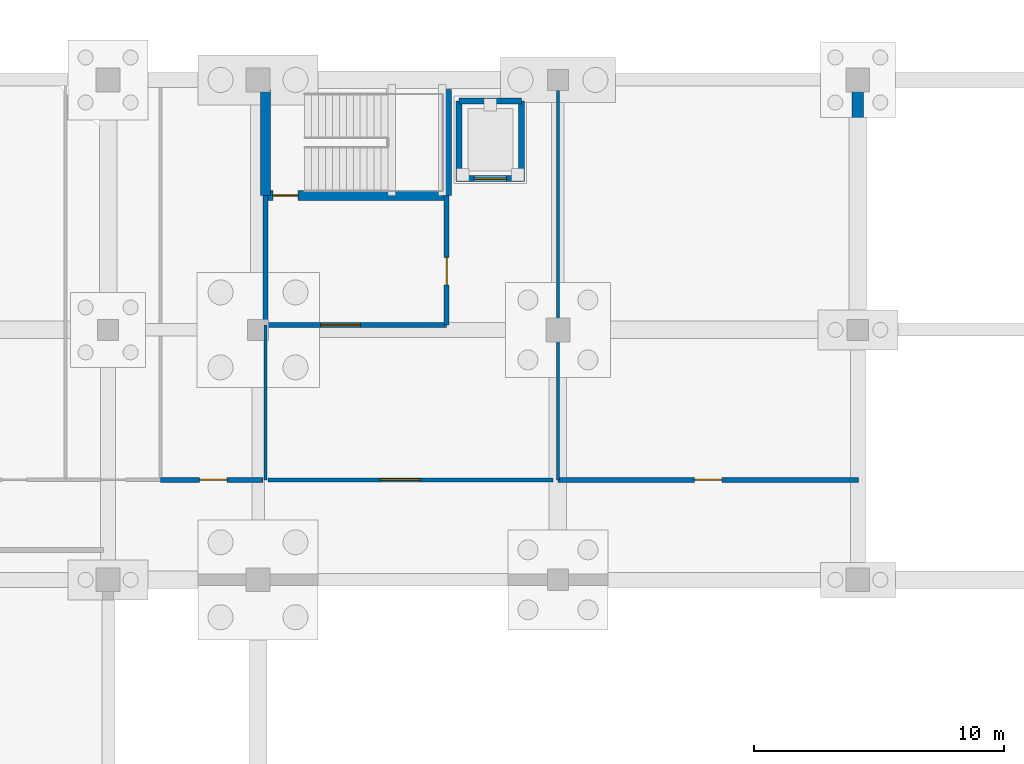
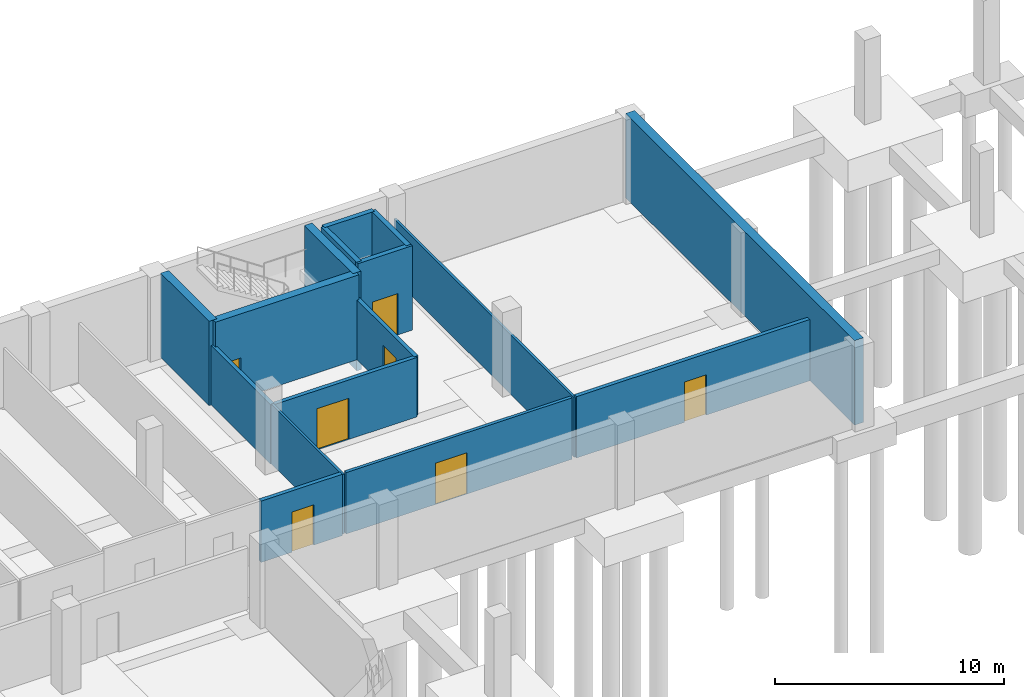
# One storey, part 16 of 19: 16 walls, 7 doors, 7 openings.
"""IFC4 building model written with IfcOpenShell, lengths in metres."""

import ifcopenshell
import ifcopenshell.guid

model = None  # the IFC model being written
_history = None  # IfcOwnerHistory: only IFC2X3 demands one
_inside = {}  # id of a spatial element -> (the spatial element, [elements in it])
_under = {}  # id of a project, library or spatial element -> (it, [spatial elements below it])
_declared = {}  # id of a project -> (the project, [libraries it declares])
_typed = {}  # id of a type object -> (the type object, [elements of that type])
_made_of = {}  # id of a material, layer set ... -> (it, [elements and type objects made of it])


def new_model(schema):
    """Start an empty IFC model of exactly this schema.

    Asked for "IFC4X3", IfcOpenShell would pick the latest addendum, in which some entities
    have other attributes; the version numbers below select the first issue.
    IFC2X3 requires an IfcOwnerHistory on every rooted entity: one is made here for all.
    """
    global model, _history
    if schema == "IFC4X3":
        model = ifcopenshell.file(schema_version=(4, 3, 0, 0))
    else:
        model = ifcopenshell.file(schema=schema)
    _inside.clear()
    _under.clear()
    _declared.clear()
    _typed.clear()
    _made_of.clear()
    _history = None
    if model.schema == "IFC2X3":
        org = make("IfcOrganization", Name="unknown")
        user = make(
            "IfcPersonAndOrganization",
            ThePerson=make("IfcPerson", FamilyName="unknown"),
            TheOrganization=org,
        )
        app = make(
            "IfcApplication",
            ApplicationDeveloper=org,
            Version="unknown",
            ApplicationFullName="unknown",
            ApplicationIdentifier="unknown",
        )
        _history = make(
            "IfcOwnerHistory",
            OwningUser=user,
            OwningApplication=app,
            ChangeAction="ADDED",
            CreationDate=0,
        )
    return model


def make(cls, **values):
    """One entity of the class cls with the attributes given. An attribute that is None is left unset."""
    return model.create_entity(
        cls, **{name: value for name, value in values.items() if value is not None}
    )


def rooted(cls, **values):
    """An entity with a GlobalId (a new one), such as an element, a storey or a relation."""
    return make(cls, GlobalId=ifcopenshell.guid.new(), OwnerHistory=_history, **values)


def si_unit(unit_type, name, prefix=None):
    """IfcSIUnit, for example si_unit("LENGTHUNIT", "METRE", prefix="MILLI")."""
    return make("IfcSIUnit", UnitType=unit_type, Prefix=prefix, Name=name)


def assignment(units):
    """IfcUnitAssignment: the units of a project."""
    return None if units is None else make("IfcUnitAssignment", Units=units)


def point(xyz):
    """IfcCartesianPoint."""
    return None if xyz is None else make("IfcCartesianPoint", Coordinates=xyz)


def direction(xyz):
    """IfcDirection."""
    return None if xyz is None else make("IfcDirection", DirectionRatios=xyz)


def frame(location, z_axis=None, x_axis=None):
    """IfcAxis2Placement3D, a coordinate frame: its origin and axes. An axis left out is left unset."""
    return make(
        "IfcAxis2Placement3D",
        Location=point(location),
        Axis=direction(z_axis),
        RefDirection=direction(x_axis),
    )


def frame_2d(location, x_axis=None):
    """IfcAxis2Placement2D, a coordinate frame in the plane: its origin and x axis."""
    return make(
        "IfcAxis2Placement2D", Location=point(location), RefDirection=direction(x_axis)
    )


def origin():
    """The frame at (0, 0, 0) with its axes left unset."""
    return frame((0.0, 0.0, 0.0))


def place(relative_to, where):
    """IfcLocalPlacement: puts the frame where relative to a parent placement (None: the world)."""
    return make(
        "IfcLocalPlacement", PlacementRelTo=relative_to, RelativePlacement=where
    )


def context(
    kind, dimensions, precision=None, world=None, true_north=None, identifier=None
):
    """IfcGeometricRepresentationContext, for example the 3D "Model" context."""
    return make(
        "IfcGeometricRepresentationContext",
        ContextIdentifier=identifier,
        ContextType=kind,
        CoordinateSpaceDimension=dimensions,
        Precision=precision,
        WorldCoordinateSystem=world,
        TrueNorth=true_north,
    )


def subcontext(parent, identifier, kind, view, scale=None):
    """IfcGeometricRepresentationSubContext, for example "Body" below "Model"."""
    return make(
        "IfcGeometricRepresentationSubContext",
        ContextIdentifier=identifier,
        ContextType=kind,
        ParentContext=parent,
        TargetScale=scale,
        TargetView=view,
    )


def project(units=None, contexts=None):
    """IfcProject with its units and contexts."""
    return rooted(
        "IfcProject",
        Name="project",
        RepresentationContexts=contexts,
        UnitsInContext=assignment(units),
    )


def spatial(cls, under=None, at=None, **own):
    """A site, building, storey or space (cls), placed at a placement, below another one or the project."""
    s = rooted(cls, ObjectPlacement=at, **own)
    if under is not None:
        _under.setdefault(under.id(), (under, []))[1].append(s)
    return s


def profile(cls, at=None, kind="AREA", **sizes):
    """A parametric profile (cls). Its sizes go by their IFC names, for example OverallWidth=200.0."""
    return make(cls, ProfileType=kind, Position=at, **sizes)


def rectangle(**sizes):
    """IfcRectangleProfileDef."""
    return profile("IfcRectangleProfileDef", **sizes)


def extrude(swept, where, along, depth):
    """IfcExtrudedAreaSolid: the profile swept, set in the frame where, extruded along a direction by depth."""
    return make(
        "IfcExtrudedAreaSolid",
        SweptArea=swept,
        Position=where,
        ExtrudedDirection=direction(along),
        Depth=depth,
    )


def shape(context_of_items, identifier, shape_type, items):
    """IfcShapeRepresentation: the items that make up one representation, for example the "Body"."""
    return make(
        "IfcShapeRepresentation",
        ContextOfItems=context_of_items,
        RepresentationIdentifier=identifier,
        RepresentationType=shape_type,
        Items=items,
    )


def material(Name=None, Category=None):
    """IfcMaterial."""
    return make("IfcMaterial", Name=Name, Category=Category)


def layer(
    of_material, thickness, ventilated=None, Name=None, Category=None, Priority=None
):
    """IfcMaterialLayer: one layer of a wall or slab, of a material (None: an air gap)."""
    return make(
        "IfcMaterialLayer",
        Material=of_material,
        LayerThickness=thickness,
        IsVentilated=ventilated,
        Name=Name,
        Category=Category,
        Priority=Priority,
    )


def layer_set(layers, Name=None):
    """IfcMaterialLayerSet."""
    return make("IfcMaterialLayerSet", MaterialLayers=layers, LayerSetName=Name)


def made_of(thing, what):
    """Note that an element or type object is made of a material, layer set ...; save() writes the relation."""
    if what is not None:
        _made_of.setdefault(what.id(), (what, []))[1].append(thing)
    return thing


def type_object(cls, material=None, **own):
    """A type object (cls), such as IfcWallType, which elements share."""
    return made_of(rooted(cls, **own), material)


def element(
    cls,
    number,
    at=None,
    inside=None,
    cuts=None,
    type_object=None,
    material=None,
    context=None,
    identifier="Body",
    shape_type=None,
    held_by="IfcProductDefinitionShape",
    body=None,
    shapes=None,
    **own,
):
    """One element of the class cls, such as IfcWall. Its Tag is "e" and its number.

    at: its placement. inside: the storey or other place that contains it. cuts: it is an
    opening in that element (IfcRelVoidsElement). A single representation is given by context,
    identifier, shape_type and body (its items); several are given by shapes. held_by: the class
    of the entity that holds the representations. save() writes the other relations.
    """
    e = rooted(cls, Tag="e%d" % number, ObjectPlacement=at, **own)
    if body is not None:
        shapes = [shape(context, identifier, shape_type, body)]
    if shapes is not None:
        e.Representation = make(held_by, Representations=shapes)
    if inside is not None:
        _inside.setdefault(inside.id(), (inside, []))[1].append(e)
    if cuts is not None:
        rooted(
            "IfcRelVoidsElement", RelatingBuildingElement=cuts, RelatedOpeningElement=e
        )
    if type_object is not None:
        _typed.setdefault(type_object.id(), (type_object, []))[1].append(e)
    return made_of(e, material)


def fill(opening, filler):
    """IfcRelFillsElement: the door or window that sits in an opening."""
    return rooted(
        "IfcRelFillsElement",
        RelatingOpeningElement=opening,
        RelatedBuildingElement=filler,
    )


def aggregate(whole, parts):
    """IfcRelAggregates: a whole, such as a stair, and the parts it consists of."""
    return rooted("IfcRelAggregates", RelatingObject=whole, RelatedObjects=parts)


def save(model, path):
    """Write the relations noted so far, then the file.

    IfcRelAggregates (storeys below a building ...), IfcRelContainedInSpatialStructure (elements
    in a storey), IfcRelDefinesByType, IfcRelAssociatesMaterial and IfcRelDeclares: one each for
    every whole, place, type object, material and project.
    """
    for whole, parts in _under.values():
        aggregate(whole, parts)
    for where, things in _inside.values():
        rooted(
            "IfcRelContainedInSpatialStructure",
            RelatedElements=things,
            RelatingStructure=where,
        )
    for kind, things in _typed.values():
        rooted("IfcRelDefinesByType", RelatedObjects=things, RelatingType=kind)
    for what, things in _made_of.values():
        rooted("IfcRelAssociatesMaterial", RelatedObjects=things, RelatingMaterial=what)
    for by, libraries in _declared.values():
        rooted("IfcRelDeclares", RelatingContext=by, RelatedDefinitions=libraries)
    model.write(path)


model = new_model("IFC4")

# Units and contexts
model_context = context("Model", 3, precision=1e-05, world=origin(), true_north=direction((0.0, 1.0)))
body_context = subcontext(model_context, "Body", "Model", "MODEL_VIEW")
ifc_project = project(units=[si_unit("LENGTHUNIT", "METRE"), si_unit("AREAUNIT", "SQUARE_METRE"), si_unit("VOLUMEUNIT", "CUBIC_METRE"), si_unit("PLANEANGLEUNIT", "RADIAN"), si_unit("MASSUNIT", "GRAM", prefix="KILO")], contexts=[model_context])

# Site, building, storey
site_placement = place(None, origin())
site = spatial("IfcSite", under=ifc_project, at=site_placement, CompositionType="ELEMENT")
building_placement = place(site_placement, origin())
building = spatial("IfcBuilding", under=site, at=building_placement, Name="Mersad Railyard Sports Hall", CompositionType="ELEMENT")
storey_placement = place(building_placement, frame((0.0, 0.0, -4.5)))
storey = spatial("IfcBuildingStorey", under=building, at=storey_placement, Name="B1", CompositionType="ELEMENT", Elevation=-4.5)

# Walls
ifc_material_1 = material(Name="Concrete C40/50", Category="concrete")
ifc_layer_1 = layer(ifc_material_1, 0.449951171875)
ifc_layer_set_1 = layer_set([ifc_layer_1], Name="Concrete C40/50")
wall_type_1 = type_object("IfcWallType", Name="ARC-WL-EW05", PredefinedType="SOLIDWALL", material=ifc_layer_set_1)
wall_1_placement = place(storey_placement, frame((161.0, 115.0, 0.0), z_axis=(0.0, 0.0, 1.0), x_axis=(0.0, -1.0, 0.0)))
element("IfcWall", 1, at=wall_1_placement, inside=storey, type_object=wall_type_1, Name="External wall EW05-0003", PredefinedType="SOLIDWALL", context=body_context, shape_type="SweptSolid", body=[
    extrude(rectangle(XDim=20.0, YDim=0.449951171875, at=frame_2d((10.0, 0.0))), origin(), (0.0, 0.0, 1.0), 4.5),
])
ifc_material_2 = material(Name="Precast concrete C45/55", Category="concrete")
ifc_layer_2 = layer(ifc_material_2, 0.199951171875)
ifc_layer_set_2 = layer_set([ifc_layer_2], Name="Precast concrete C45/55")
wall_type_2 = type_object("IfcWallType", Name="ARC-WL-PT01", PredefinedType="PARTITIONING", material=ifc_layer_set_2)
wall_2_placement = place(storey_placement, frame((137.300048828125, 105.199951171875, 0.0), z_axis=(0.0, 0.0, 1.0), x_axis=(0.0, 1.0, 0.0)))
element("IfcWall", 2, at=wall_2_placement, inside=storey, type_object=wall_type_2, Name="Interior wall PT01-0280", PredefinedType="PARTITIONING", context=body_context, shape_type="SweptSolid", body=[
    extrude(rectangle(XDim=5.179931640625, YDim=0.199951171875, at=frame_2d((2.58984375, 0.0))), origin(), (0.0, 0.0, 1.0), 3.175048828125),
])

# Wall, opening, door
wall_3_placement = place(storey_placement, frame((137.300048828125, 105.199951171875, 0.0), z_axis=(0.0, 0.0, 1.0), x_axis=(1.0, 0.0, 0.0)))
wall_3 = element("IfcWall", 3, at=wall_3_placement, inside=storey, type_object=wall_type_2, Name="Interior wall PT01-0281", PredefinedType="PARTITIONING", context=body_context, shape_type="SweptSolid", body=[
    extrude(rectangle(XDim=7.25, YDim=0.199951171875, at=frame_2d((3.625, 0.0))), origin(), (0.0, 0.0, 1.0), 3.175048828125),
])
opening_1_placement = place(wall_3_placement, frame((2.199951171875, 0.0, 0.0)))
opening_1 = element("IfcOpeningElement", 4, at=opening_1_placement, cuts=wall_3, Name="Opening FD04", PredefinedType="OPENING", context=body_context, shape_type="SweptSolid", body=[
    extrude(rectangle(XDim=1.60009765625, YDim=2.199951171875, at=frame_2d((0.800048828125, 1.10009765625))), frame((0.0, 0.10986328125, 0.0), z_axis=(0.0, -1.0, 0.0), x_axis=(1.0, 0.0, 0.0)), (0.0, 0.0, 1.0), 0.219970703125),
])
ifc_material_3 = material(Name="Steel S355", Category="steel")
door_type_1 = type_object("IfcDoorType", Name="ARC-DR-FD04", OperationType="NOTDEFINED", PredefinedType="DOOR", material=ifc_material_3)
door_1_placement = place(opening_1_placement, origin())
door_1 = element("IfcDoor", 5, at=door_1_placement, inside=storey, type_object=door_type_1, Name="C4 firefighting lobby door FD04-0126", OperationType="DOUBLE_DOOR_SINGLE_SWING", OverallHeight=2.199951171875, OverallWidth=1.60009765625, PredefinedType="DOOR", context=body_context, shape_type="SweptSolid", body=[
    extrude(rectangle(XDim=1.60009765625, YDim=2.199951171875, at=frame_2d((0.800048828125, 1.10009765625))), frame((0.0, 0.02490234375, 0.0), z_axis=(0.0, -1.0, 0.0), x_axis=(1.0, 0.0, 0.0)), (0.0, 0.0, 1.0), 0.050048828125),
])
fill(opening_1, door_1)

wall_4_placement = place(storey_placement, frame((144.550048828125, 105.199951171875, 0.0), z_axis=(0.0, 0.0, 1.0), x_axis=(0.0, 1.0, 0.0)))
wall_4 = element("IfcWall", 6, at=wall_4_placement, inside=storey, type_object=wall_type_2, Name="Interior wall PT01-0282", PredefinedType="PARTITIONING", context=body_context, shape_type="SweptSolid", body=[
    extrude(rectangle(XDim=5.179931640625, YDim=0.199951171875, at=frame_2d((2.58984375, 0.0))), origin(), (0.0, 0.0, 1.0), 3.175048828125),
])
opening_2_placement = place(wall_4_placement, frame((1.60009765625, 0.0, 0.0)))
opening_2 = element("IfcOpeningElement", 7, at=opening_2_placement, cuts=wall_4, Name="Opening FD01", PredefinedType="OPENING", context=body_context, shape_type="SweptSolid", body=[
    extrude(rectangle(XDim=1.10009765625, YDim=2.14990234375, at=frame_2d((0.550048828125, 1.074951171875))), frame((0.0, 0.10986328125, 0.0), z_axis=(0.0, -1.0, 0.0), x_axis=(1.0, 0.0, 0.0)), (0.0, 0.0, 1.0), 0.219970703125),
])
door_type_2 = type_object("IfcDoorType", Name="ARC-DR-FD01", OperationType="NOTDEFINED", PredefinedType="DOOR", material=ifc_material_3)
door_2_placement = place(opening_2_placement, origin())
door_2 = element("IfcDoor", 8, at=door_2_placement, inside=storey, type_object=door_type_2, Name="C4 lift-to-firefighting lobby door FD01-0127", OperationType="SINGLE_SWING_LEFT", OverallHeight=2.14990234375, OverallWidth=1.10009765625, PredefinedType="DOOR", context=body_context, shape_type="SweptSolid", body=[
    extrude(rectangle(XDim=1.10009765625, YDim=2.14990234375, at=frame_2d((0.550048828125, 1.074951171875))), frame((0.0, 0.02490234375, 0.0), z_axis=(0.0, -1.0, 0.0), x_axis=(1.0, 0.0, 0.0)), (0.0, 0.0, 1.0), 0.050048828125),
])
fill(opening_2, door_2)

wall_5_placement = place(storey_placement, frame((133.10009765625, 99.0, 0.0), z_axis=(0.0, 0.0, 1.0), x_axis=(1.0, 0.0, 0.0)))
wall_5 = element("IfcWall", 9, at=wall_5_placement, inside=storey, type_object=wall_type_2, Name="Interior wall PT01-0399", PredefinedType="PARTITIONING", context=body_context, shape_type="SweptSolid", body=[
    extrude(rectangle(XDim=4.099853515625, YDim=0.199951171875, at=frame_2d((2.0498046875, 0.0))), origin(), (0.0, 0.0, 1.0), 3.27490234375),
])
opening_3_placement = place(wall_5_placement, frame((1.56005859375, 0.0, 0.0)))
opening_3 = element("IfcOpeningElement", 10, at=opening_3_placement, cuts=wall_5, Name="Opening FD01", PredefinedType="OPENING", context=body_context, shape_type="SweptSolid", body=[
    extrude(rectangle(XDim=1.10009765625, YDim=2.14990234375, at=frame_2d((0.550048828125, 1.074951171875))), frame((0.0, 0.10986328125, 0.0), z_axis=(0.0, -1.0, 0.0), x_axis=(1.0, 0.0, 0.0)), (0.0, 0.0, 1.0), 0.219970703125),
])
door_3_placement = place(opening_3_placement, origin())
door_3 = element("IfcDoor", 11, at=door_3_placement, inside=storey, type_object=door_type_2, Name="B1 north room door FD01-0179", OperationType="SINGLE_SWING_RIGHT", OverallHeight=2.14990234375, OverallWidth=1.10009765625, PredefinedType="DOOR", context=body_context, shape_type="SweptSolid", body=[
    extrude(rectangle(XDim=1.10009765625, YDim=2.14990234375, at=frame_2d((0.550048828125, 1.074951171875))), frame((0.0, 0.02490234375, 0.0), z_axis=(0.0, -1.0, 0.0), x_axis=(1.0, 0.0, 0.0)), (0.0, 0.0, 1.0), 0.050048828125),
])
fill(opening_3, door_3)

wall_6_placement = place(storey_placement, frame((149.0, 99.0, 0.0), z_axis=(0.0, 0.0, 1.0), x_axis=(1.0, 0.0, 0.0)))
wall_6 = element("IfcWall", 12, at=wall_6_placement, inside=storey, type_object=wall_type_2, Name="Interior wall PT01-0402", PredefinedType="PARTITIONING", context=body_context, shape_type="SweptSolid", body=[
    extrude(rectangle(XDim=12.02001953125, YDim=0.199951171875, at=frame_2d((6.010009765625, 0.0))), origin(), (0.0, 0.0, 1.0), 3.27490234375),
])
opening_4_placement = place(wall_6_placement, frame((5.4599609375, 0.0, 0.0)))
opening_4 = element("IfcOpeningElement", 13, at=opening_4_placement, cuts=wall_6, Name="Opening FD01", PredefinedType="OPENING", context=body_context, shape_type="SweptSolid", body=[
    extrude(rectangle(XDim=1.10009765625, YDim=2.14990234375, at=frame_2d((0.550048828125, 1.074951171875))), frame((0.0, 0.10986328125, 0.0), z_axis=(0.0, -1.0, 0.0), x_axis=(1.0, 0.0, 0.0)), (0.0, 0.0, 1.0), 0.219970703125),
])
door_4_placement = place(opening_4_placement, origin())
door_4 = element("IfcDoor", 14, at=door_4_placement, inside=storey, type_object=door_type_2, Name="B1 north room door FD01-0180", OperationType="SINGLE_SWING_LEFT", OverallHeight=2.14990234375, OverallWidth=1.10009765625, PredefinedType="DOOR", context=body_context, shape_type="SweptSolid", body=[
    extrude(rectangle(XDim=1.10009765625, YDim=2.14990234375, at=frame_2d((0.550048828125, 1.074951171875))), frame((0.0, 0.02490234375, 0.0), z_axis=(0.0, -1.0, 0.0), x_axis=(1.0, 0.0, 0.0)), (0.0, 0.0, 1.0), 0.050048828125),
])
fill(opening_4, door_4)

ifc_material_4 = material(Name="Gypsum plasterboard", Category="gypsum")
ifc_layer_3 = layer(ifc_material_4, 0.159912109375)
ifc_layer_set_3 = layer_set([ifc_layer_3], Name="Gypsum plasterboard")
wall_type_3 = type_object("IfcWallType", Name="ARC-WL-PT02", PredefinedType="PARTITIONING", material=ifc_layer_set_3)
wall_7_placement = place(storey_placement, frame((137.39990234375, 99.0, 0.0), z_axis=(0.0, 0.0, 1.0), x_axis=(1.0, 0.0, 0.0)))
wall_7 = element("IfcWall", 15, at=wall_7_placement, inside=storey, type_object=wall_type_3, Name="Interior wall PT02-0283", PredefinedType="PARTITIONING", context=body_context, shape_type="SweptSolid", body=[
    extrude(rectangle(XDim=11.400146484375, YDim=0.159912109375, at=frame_2d((5.7001953125, 0.0))), origin(), (0.0, 0.0, 1.0), 3.27490234375),
])
opening_5_placement = place(wall_7_placement, frame((4.5, 0.0, 0.0)))
opening_5 = element("IfcOpeningElement", 16, at=opening_5_placement, cuts=wall_7, Name="Opening FD04", PredefinedType="OPENING", context=body_context, shape_type="SweptSolid", body=[
    extrude(rectangle(XDim=1.60009765625, YDim=2.199951171875, at=frame_2d((0.800048828125, 1.10009765625))), frame((0.0, 0.08984375, 0.0), z_axis=(0.0, -1.0, 0.0), x_axis=(1.0, 0.0, 0.0)), (0.0, 0.0, 1.0), 0.179931640625),
])
door_5_placement = place(opening_5_placement, origin())
door_5 = element("IfcDoor", 17, at=door_5_placement, inside=storey, type_object=door_type_1, Name="C4 lift lobby corridor door FD04-0128", OperationType="DOUBLE_DOOR_SINGLE_SWING", OverallHeight=2.199951171875, OverallWidth=1.60009765625, PredefinedType="DOOR", context=body_context, shape_type="SweptSolid", body=[
    extrude(rectangle(XDim=1.60009765625, YDim=2.199951171875, at=frame_2d((0.800048828125, 1.10009765625))), frame((0.0, 0.02490234375, 0.0), z_axis=(0.0, -1.0, 0.0), x_axis=(1.0, 0.0, 0.0)), (0.0, 0.0, 1.0), 0.050048828125),
])
fill(opening_5, door_5)

# Walls
ifc_layer_4 = layer(ifc_material_4, 0.1201171875)
ifc_layer_set_4 = layer_set([ifc_layer_4], Name="Gypsum plasterboard")
wall_type_4 = type_object("IfcWallType", Name="ARC-WL-PT04", PredefinedType="PARTITIONING", material=ifc_layer_set_4)
wall_8_placement = place(storey_placement, frame((137.300048828125, 99.0, 0.0), z_axis=(0.0, 0.0, 1.0), x_axis=(0.0, 1.0, 0.0)))
element("IfcWall", 18, at=wall_8_placement, inside=storey, type_object=wall_type_4, Name="Interior wall PT04-0401", PredefinedType="PARTITIONING", context=body_context, shape_type="SweptSolid", body=[
    extrude(rectangle(XDim=6.199951171875, YDim=0.1201171875, at=frame_2d((3.10009765625, 0.0))), origin(), (0.0, 0.0, 1.0), 3.175048828125),
])
wall_9_placement = place(storey_placement, frame((149.0, 99.0, 0.0), z_axis=(0.0, 0.0, 1.0), x_axis=(0.0, 1.0, 0.0)))
element("IfcWall", 19, at=wall_9_placement, inside=storey, type_object=wall_type_4, Name="Interior wall PT04-0403", PredefinedType="PARTITIONING", context=body_context, shape_type="SweptSolid", body=[
    extrude(rectangle(XDim=15.75, YDim=0.1201171875, at=frame_2d((7.875, 0.0))), origin(), (0.0, 0.0, 1.0), 3.175048828125),
])

# Wall, opening, door
ifc_material_5 = material(Name="Concrete C50/60", Category="concrete")
ifc_layer_5 = layer(ifc_material_5, 0.39990234375)
ifc_layer_set_5 = layer_set([ifc_layer_5], Name="Concrete C50/60")
wall_type_5 = type_object("IfcWallType", Name="STR-WL-SW01", PredefinedType="SHEAR", material=ifc_layer_set_5)
wall_10_placement = place(storey_placement, frame((137.300048828125, 110.3798828125, 0.0), z_axis=(0.0, 0.0, 1.0), x_axis=(1.0, 0.0, 0.0)))
wall_10 = element("IfcWall", 20, at=wall_10_placement, inside=storey, type_object=wall_type_5, Name="Interior wall SW01-0277", PredefinedType="SHEAR", context=body_context, shape_type="SweptSolid", body=[
    extrude(rectangle(XDim=7.25, YDim=0.39990234375, at=frame_2d((3.625, 0.0))), origin(), (0.0, 0.0, 1.0), 4.5),
])
opening_6_placement = place(wall_10_placement, frame((0.300048828125, 0.0, 0.0)))
opening_6 = element("IfcOpeningElement", 21, at=opening_6_placement, cuts=wall_10, Name="Opening FD02", PredefinedType="OPENING", context=body_context, shape_type="SweptSolid", body=[
    extrude(rectangle(XDim=1.0, YDim=2.14990234375, at=frame_2d((0.5, 1.074951171875))), frame((0.0, 0.2099609375, 0.0), z_axis=(0.0, -1.0, 0.0), x_axis=(1.0, 0.0, 0.0)), (0.0, 0.0, 1.0), 0.419921875),
])
door_type_3 = type_object("IfcDoorType", Name="ARC-DR-FD02", OperationType="NOTDEFINED", PredefinedType="DOOR", material=ifc_material_3)
door_6_placement = place(opening_6_placement, origin())
door_6 = element("IfcDoor", 22, at=door_6_placement, inside=storey, type_object=door_type_3, Name="C4 stair entrance door FD02-0125", OperationType="SINGLE_SWING_RIGHT", OverallHeight=2.14990234375, OverallWidth=1.0, PredefinedType="DOOR", context=body_context, shape_type="SweptSolid", body=[
    extrude(rectangle(XDim=1.0, YDim=2.14990234375, at=frame_2d((0.5, 1.074951171875))), frame((0.0, 0.02490234375, 0.0), z_axis=(0.0, -1.0, 0.0), x_axis=(1.0, 0.0, 0.0)), (0.0, 0.0, 1.0), 0.050048828125),
])
fill(opening_6, door_6)

# Walls
for number, where, z_axis, x_axis, name in (
    (23, (144.550048828125, 110.3798828125, 0.0), (0.0, 0.0, 1.0), (0.0, 1.0, 0.0), "Interior wall SW01-0278"),
    (24, (137.300048828125, 114.6201171875, 0.0), (0.0, 0.0, 1.0), (0.0, -1.0, 0.0), "Interior wall SW01-0279"),
):
    element("IfcWall", number, at=place(storey_placement, frame(where, z_axis=z_axis, x_axis=x_axis)), inside=storey, type_object=wall_type_5, Name=name, PredefinedType="SHEAR", context=body_context, shape_type="SweptSolid", body=[
        extrude(rectangle(XDim=4.240234375, YDim=0.39990234375, at=frame_2d((2.1201171875, 0.0))), origin(), (0.0, 0.0, 1.0), 4.5),
    ])
ifc_layer_6 = layer(ifc_material_1, 0.239990234375)
ifc_layer_set_6 = layer_set([ifc_layer_6], Name="Concrete C40/50")
wall_type_6 = type_object("IfcWallType", Name="STR-WL-SW03", PredefinedType="SHEAR", material=ifc_layer_set_6)
wall_11_placement = place(storey_placement, frame((145.050048828125, 111.050048828125, -1.300048828125), z_axis=(0.0, 0.0, 1.0), x_axis=(0.0, 1.0, 0.0)))
element("IfcWall", 25, at=wall_11_placement, inside=storey, type_object=wall_type_6, Name="Lift PL-04 west shaft wall B1", PredefinedType="SHEAR", context=body_context, shape_type="SweptSolid", body=[
    extrude(rectangle(XDim=3.099853515625, YDim=0.239990234375, at=frame_2d((1.5498046875, 0.0))), origin(), (0.0, 0.0, 1.0), 5.800048828125),
])
wall_12_placement = place(storey_placement, frame((147.550048828125, 114.14990234375, 0.0), z_axis=(0.0, 0.0, 1.0), x_axis=(0.0, -1.0, 0.0)))
element("IfcWall", 26, at=wall_12_placement, inside=storey, type_object=wall_type_6, Name="Interior wall SW03-0082", PredefinedType="SHEAR", context=body_context, shape_type="SweptSolid", body=[
    extrude(rectangle(XDim=3.099853515625, YDim=0.239990234375, at=frame_2d((1.5498046875, 0.0))), origin(), (0.0, 0.0, 1.0), 4.5),
])
wall_13_placement = place(storey_placement, frame((145.050048828125, 114.14990234375, 0.0), z_axis=(0.0, 0.0, 1.0), x_axis=(1.0, 0.0, 0.0)))
element("IfcWall", 27, at=wall_13_placement, inside=storey, type_object=wall_type_6, Name="Interior wall SW03-0083", PredefinedType="SHEAR", context=body_context, shape_type="SweptSolid", body=[
    extrude(rectangle(XDim=2.5, YDim=0.239990234375, at=frame_2d((1.25, 0.0))), origin(), (0.0, 0.0, 1.0), 4.5),
])

# Wall, opening, door
wall_14_placement = place(storey_placement, frame((147.669921875, 111.050048828125, 0.0), z_axis=(0.0, 0.0, 1.0), x_axis=(-1.0, 0.0, 0.0)))
wall_14 = element("IfcWall", 28, at=wall_14_placement, inside=storey, type_object=wall_type_6, Name="Interior wall SW03-0084", PredefinedType="SHEAR", context=body_context, shape_type="SweptSolid", body=[
    extrude(rectangle(XDim=2.739990234375, YDim=0.239990234375, at=frame_2d((1.3701171875, 0.0))), origin(), (0.0, 0.0, 1.0), 4.5),
])
opening_7_placement = place(wall_14_placement, frame((0.719970703125, 0.0, 0.0)))
opening_7 = element("IfcOpeningElement", 29, at=opening_7_placement, cuts=wall_14, Name="Opening LD03", PredefinedType="OPENING", context=body_context, shape_type="SweptSolid", body=[
    extrude(rectangle(XDim=1.300048828125, YDim=2.199951171875, at=frame_2d((0.64990234375, 1.10009765625))), frame((0.0, 0.1298828125, 0.0), z_axis=(0.0, -1.0, 0.0), x_axis=(1.0, 0.0, 0.0)), (0.0, 0.0, 1.0), 0.260009765625),
])
door_type_4 = type_object("IfcDoorType", Name="ARC-DR-LD03", OperationType="NOTDEFINED", PredefinedType="USERDEFINED", material=ifc_material_3)
door_7_placement = place(opening_7_placement, origin())
door_7 = element("IfcDoor", 30, at=door_7_placement, inside=storey, type_object=door_type_4, Name="Lift PL-04 landing door LD03-0022", ObjectType="LANDING DOOR", OperationType="DOUBLE_DOOR_SLIDING", OverallHeight=2.199951171875, OverallWidth=1.300048828125, PredefinedType="USERDEFINED", context=body_context, shape_type="SweptSolid", body=[
    extrude(rectangle(XDim=1.300048828125, YDim=2.199951171875, at=frame_2d((0.64990234375, 1.10009765625))), frame((0.0, 0.02490234375, 0.0), z_axis=(0.0, -1.0, 0.0), x_axis=(1.0, 0.0, 0.0)), (0.0, 0.0, 1.0), 0.050048828125),
])
fill(opening_7, door_7)

save(model, "model.ifc")
